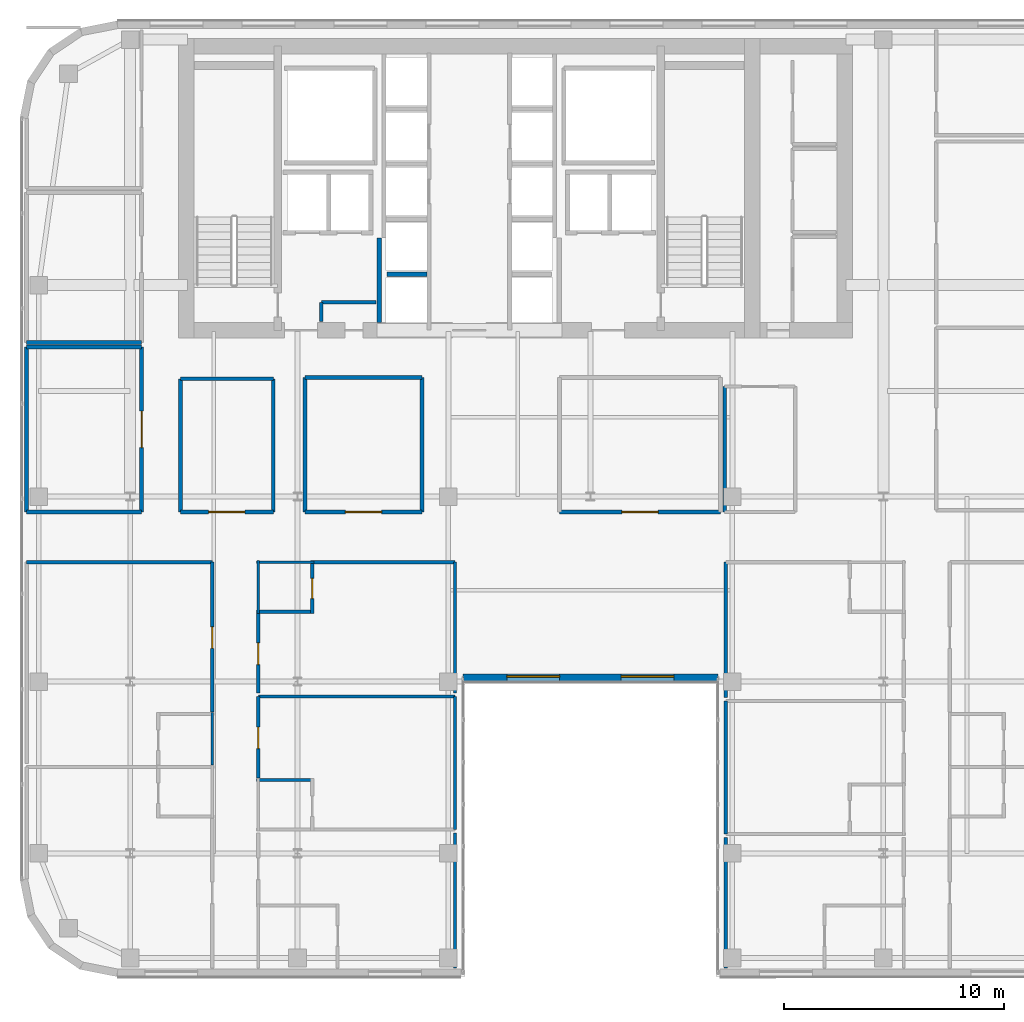
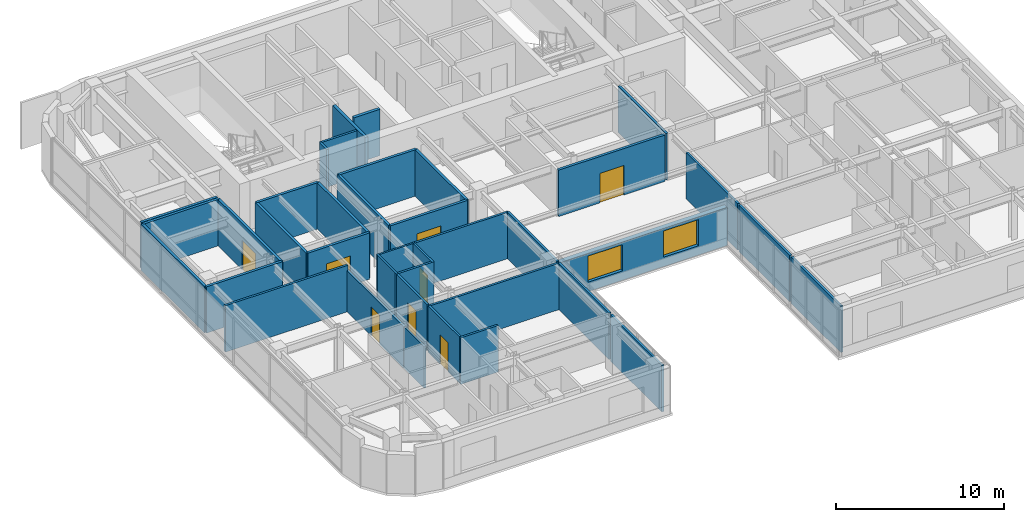
# One storey, part 18 of 28: 38 walls, 8 doors, 2 windows, 10 openings.
"""IFC4 building model written with IfcOpenShell, lengths in metres."""

import ifcopenshell
import ifcopenshell.guid

model = None  # the IFC model being written
_history = None  # IfcOwnerHistory: only IFC2X3 demands one
_inside = {}  # id of a spatial element -> (the spatial element, [elements in it])
_under = {}  # id of a project, library or spatial element -> (it, [spatial elements below it])
_declared = {}  # id of a project -> (the project, [libraries it declares])
_typed = {}  # id of a type object -> (the type object, [elements of that type])
_made_of = {}  # id of a material, layer set ... -> (it, [elements and type objects made of it])


def new_model(schema):
    """Start an empty IFC model of exactly this schema.

    Asked for "IFC4X3", IfcOpenShell would pick the latest addendum, in which some entities
    have other attributes; the version numbers below select the first issue.
    IFC2X3 requires an IfcOwnerHistory on every rooted entity: one is made here for all.
    """
    global model, _history
    if schema == "IFC4X3":
        model = ifcopenshell.file(schema_version=(4, 3, 0, 0))
    else:
        model = ifcopenshell.file(schema=schema)
    _inside.clear()
    _under.clear()
    _declared.clear()
    _typed.clear()
    _made_of.clear()
    _history = None
    if model.schema == "IFC2X3":
        org = make("IfcOrganization", Name="unknown")
        user = make(
            "IfcPersonAndOrganization",
            ThePerson=make("IfcPerson", FamilyName="unknown"),
            TheOrganization=org,
        )
        app = make(
            "IfcApplication",
            ApplicationDeveloper=org,
            Version="unknown",
            ApplicationFullName="unknown",
            ApplicationIdentifier="unknown",
        )
        _history = make(
            "IfcOwnerHistory",
            OwningUser=user,
            OwningApplication=app,
            ChangeAction="ADDED",
            CreationDate=0,
        )
    return model


def make(cls, **values):
    """One entity of the class cls with the attributes given. An attribute that is None is left unset."""
    return model.create_entity(
        cls, **{name: value for name, value in values.items() if value is not None}
    )


def rooted(cls, **values):
    """An entity with a GlobalId (a new one), such as an element, a storey or a relation."""
    return make(cls, GlobalId=ifcopenshell.guid.new(), OwnerHistory=_history, **values)


def si_unit(unit_type, name, prefix=None):
    """IfcSIUnit, for example si_unit("LENGTHUNIT", "METRE", prefix="MILLI")."""
    return make("IfcSIUnit", UnitType=unit_type, Prefix=prefix, Name=name)


def assignment(units):
    """IfcUnitAssignment: the units of a project."""
    return None if units is None else make("IfcUnitAssignment", Units=units)


def point(xyz):
    """IfcCartesianPoint."""
    return None if xyz is None else make("IfcCartesianPoint", Coordinates=xyz)


def direction(xyz):
    """IfcDirection."""
    return None if xyz is None else make("IfcDirection", DirectionRatios=xyz)


def frame(location, z_axis=None, x_axis=None):
    """IfcAxis2Placement3D, a coordinate frame: its origin and axes. An axis left out is left unset."""
    return make(
        "IfcAxis2Placement3D",
        Location=point(location),
        Axis=direction(z_axis),
        RefDirection=direction(x_axis),
    )


def frame_2d(location, x_axis=None):
    """IfcAxis2Placement2D, a coordinate frame in the plane: its origin and x axis."""
    return make(
        "IfcAxis2Placement2D", Location=point(location), RefDirection=direction(x_axis)
    )


def origin():
    """The frame at (0, 0, 0) with its axes left unset."""
    return frame((0.0, 0.0, 0.0))


def place(relative_to, where):
    """IfcLocalPlacement: puts the frame where relative to a parent placement (None: the world)."""
    return make(
        "IfcLocalPlacement", PlacementRelTo=relative_to, RelativePlacement=where
    )


def context(
    kind, dimensions, precision=None, world=None, true_north=None, identifier=None
):
    """IfcGeometricRepresentationContext, for example the 3D "Model" context."""
    return make(
        "IfcGeometricRepresentationContext",
        ContextIdentifier=identifier,
        ContextType=kind,
        CoordinateSpaceDimension=dimensions,
        Precision=precision,
        WorldCoordinateSystem=world,
        TrueNorth=true_north,
    )


def subcontext(parent, identifier, kind, view, scale=None):
    """IfcGeometricRepresentationSubContext, for example "Body" below "Model"."""
    return make(
        "IfcGeometricRepresentationSubContext",
        ContextIdentifier=identifier,
        ContextType=kind,
        ParentContext=parent,
        TargetScale=scale,
        TargetView=view,
    )


def project(units=None, contexts=None):
    """IfcProject with its units and contexts."""
    return rooted(
        "IfcProject",
        Name="project",
        RepresentationContexts=contexts,
        UnitsInContext=assignment(units),
    )


def spatial(cls, under=None, at=None, **own):
    """A site, building, storey or space (cls), placed at a placement, below another one or the project."""
    s = rooted(cls, ObjectPlacement=at, **own)
    if under is not None:
        _under.setdefault(under.id(), (under, []))[1].append(s)
    return s


def profile(cls, at=None, kind="AREA", **sizes):
    """A parametric profile (cls). Its sizes go by their IFC names, for example OverallWidth=200.0."""
    return make(cls, ProfileType=kind, Position=at, **sizes)


def rectangle(**sizes):
    """IfcRectangleProfileDef."""
    return profile("IfcRectangleProfileDef", **sizes)


def extrude(swept, where, along, depth):
    """IfcExtrudedAreaSolid: the profile swept, set in the frame where, extruded along a direction by depth."""
    return make(
        "IfcExtrudedAreaSolid",
        SweptArea=swept,
        Position=where,
        ExtrudedDirection=direction(along),
        Depth=depth,
    )


def shape(context_of_items, identifier, shape_type, items):
    """IfcShapeRepresentation: the items that make up one representation, for example the "Body"."""
    return make(
        "IfcShapeRepresentation",
        ContextOfItems=context_of_items,
        RepresentationIdentifier=identifier,
        RepresentationType=shape_type,
        Items=items,
    )


def source(mapping_origin, context_of_items, identifier, shape_type, items):
    """IfcRepresentationMap: a shape defined once, which mapped items show again and again."""
    return make(
        "IfcRepresentationMap",
        MappingOrigin=mapping_origin,
        MappedRepresentation=shape(context_of_items, identifier, shape_type, items),
    )


def transform(
    local_origin,
    x_axis=None,
    y_axis=None,
    z_axis=None,
    scale=None,
    scale2=None,
    scale3=None,
    uniform=True,
):
    """IfcCartesianTransformationOperator3D, or its non-uniform kind. x_axis, y_axis, z_axis: its Axis1, 2, 3."""
    if uniform:
        return make(
            "IfcCartesianTransformationOperator3D",
            Axis1=direction(x_axis),
            Axis2=direction(y_axis),
            LocalOrigin=point(local_origin),
            Scale=scale,
            Axis3=direction(z_axis),
        )
    return make(
        "IfcCartesianTransformationOperator3DnonUniform",
        Axis1=direction(x_axis),
        Axis2=direction(y_axis),
        LocalOrigin=point(local_origin),
        Scale=scale,
        Axis3=direction(z_axis),
        Scale2=scale2,
        Scale3=scale3,
    )


def mapped(mapping_source, mapping_target):
    """IfcMappedItem: shows the shape of a source again, moved by a transform."""
    return make(
        "IfcMappedItem", MappingSource=mapping_source, MappingTarget=mapping_target
    )


def material(Name=None, Category=None):
    """IfcMaterial."""
    return make("IfcMaterial", Name=Name, Category=Category)


def layer(
    of_material, thickness, ventilated=None, Name=None, Category=None, Priority=None
):
    """IfcMaterialLayer: one layer of a wall or slab, of a material (None: an air gap)."""
    return make(
        "IfcMaterialLayer",
        Material=of_material,
        LayerThickness=thickness,
        IsVentilated=ventilated,
        Name=Name,
        Category=Category,
        Priority=Priority,
    )


def layer_set(layers, Name=None):
    """IfcMaterialLayerSet."""
    return make("IfcMaterialLayerSet", MaterialLayers=layers, LayerSetName=Name)


def made_of(thing, what):
    """Note that an element or type object is made of a material, layer set ...; save() writes the relation."""
    if what is not None:
        _made_of.setdefault(what.id(), (what, []))[1].append(thing)
    return thing


def type_object(cls, material=None, **own):
    """A type object (cls), such as IfcWallType, which elements share."""
    return made_of(rooted(cls, **own), material)


def type_shapes(of_type, sources):
    """Give a type object the sources (RepresentationMaps) that its elements show as mapped items."""
    of_type.RepresentationMaps = sources


def element(
    cls,
    number,
    at=None,
    inside=None,
    cuts=None,
    type_object=None,
    material=None,
    context=None,
    identifier="Body",
    shape_type=None,
    held_by="IfcProductDefinitionShape",
    body=None,
    shapes=None,
    **own,
):
    """One element of the class cls, such as IfcWall. Its Tag is "e" and its number.

    at: its placement. inside: the storey or other place that contains it. cuts: it is an
    opening in that element (IfcRelVoidsElement). A single representation is given by context,
    identifier, shape_type and body (its items); several are given by shapes. held_by: the class
    of the entity that holds the representations. save() writes the other relations.
    """
    e = rooted(cls, Tag="e%d" % number, ObjectPlacement=at, **own)
    if body is not None:
        shapes = [shape(context, identifier, shape_type, body)]
    if shapes is not None:
        e.Representation = make(held_by, Representations=shapes)
    if inside is not None:
        _inside.setdefault(inside.id(), (inside, []))[1].append(e)
    if cuts is not None:
        rooted(
            "IfcRelVoidsElement", RelatingBuildingElement=cuts, RelatedOpeningElement=e
        )
    if type_object is not None:
        _typed.setdefault(type_object.id(), (type_object, []))[1].append(e)
    return made_of(e, material)


def fill(opening, filler):
    """IfcRelFillsElement: the door or window that sits in an opening."""
    return rooted(
        "IfcRelFillsElement",
        RelatingOpeningElement=opening,
        RelatedBuildingElement=filler,
    )


def aggregate(whole, parts):
    """IfcRelAggregates: a whole, such as a stair, and the parts it consists of."""
    return rooted("IfcRelAggregates", RelatingObject=whole, RelatedObjects=parts)


def save(model, path):
    """Write the relations noted so far, then the file.

    IfcRelAggregates (storeys below a building ...), IfcRelContainedInSpatialStructure (elements
    in a storey), IfcRelDefinesByType, IfcRelAssociatesMaterial and IfcRelDeclares: one each for
    every whole, place, type object, material and project.
    """
    for whole, parts in _under.values():
        aggregate(whole, parts)
    for where, things in _inside.values():
        rooted(
            "IfcRelContainedInSpatialStructure",
            RelatedElements=things,
            RelatingStructure=where,
        )
    for kind, things in _typed.values():
        rooted("IfcRelDefinesByType", RelatedObjects=things, RelatingType=kind)
    for what, things in _made_of.values():
        rooted("IfcRelAssociatesMaterial", RelatedObjects=things, RelatingMaterial=what)
    for by, libraries in _declared.values():
        rooted("IfcRelDeclares", RelatingContext=by, RelatedDefinitions=libraries)
    model.write(path)


model = new_model("IFC4")

# Units and contexts
model_context = context("Model", 3, precision=1e-05, world=origin(), true_north=direction((0.0, 1.0)))
body_context = subcontext(model_context, "Body", "Model", "MODEL_VIEW")
ifc_project = project(units=[si_unit("LENGTHUNIT", "METRE"), si_unit("AREAUNIT", "SQUARE_METRE"), si_unit("VOLUMEUNIT", "CUBIC_METRE"), si_unit("PLANEANGLEUNIT", "RADIAN"), si_unit("MASSUNIT", "GRAM", prefix="KILO")], contexts=[model_context])

# Site, building, storey
site_placement = place(None, origin())
site = spatial("IfcSite", under=ifc_project, at=site_placement, CompositionType="ELEMENT")
building_placement = place(site_placement, origin())
building = spatial("IfcBuilding", under=site, at=building_placement, Name="Tolvann Quenvar Hotel", CompositionType="ELEMENT")
storey_placement = place(building_placement, frame((0.0, 0.0, 198.199951171875)))
storey = spatial("IfcBuildingStorey", under=building, at=storey_placement, Name="L52", CompositionType="ELEMENT", Elevation=198.199951171875)

# Wall, openings, windows
ifc_material_1 = material(Name="Kiln-fired red and buff architectural clay brickwork and terracotta masonry", Category="masonry")
ifc_layer_1 = layer(ifc_material_1, 0.35009765625)
ifc_layer_set_1 = layer_set([ifc_layer_1], Name="Kiln-fired red and buff architectural clay brickwork and terracotta masonry")
wall_type_1 = type_object("IfcWallType", Name="WALL_EXT_BRICK_350", PredefinedType="SOLIDWALL", material=ifc_layer_set_1)
wall_1_placement = place(storey_placement, frame((22.7099609375, 16.175048828125, 0.0), z_axis=(0.0, 0.0, 1.0), x_axis=(1.0, 0.0, 0.0)))
wall_1 = element("IfcWall", 1, at=wall_1_placement, inside=storey, type_object=wall_type_1, Name="Exterior Chicago Brick Wall L52-E06", PredefinedType="SOLIDWALL", context=body_context, shape_type="SweptSolid", body=[
    extrude(rectangle(XDim=11.580078125, YDim=0.35009765625, at=frame_2d((5.7900390625, 0.0))), origin(), (0.0, 0.0, 1.0), 2.758056640625),
])
opening_1_placement = place(wall_1_placement, frame((1.9951171875, 0.0, 0.679931640625)))
opening_1 = element("IfcOpeningElement", 2, at=opening_1_placement, cuts=wall_1, Name="Opening W-01", PredefinedType="OPENING", context=body_context, shape_type="SweptSolid", body=[
    extrude(rectangle(XDim=2.39990234375, YDim=1.89990234375, at=frame_2d((1.199951171875, 0.949951171875))), frame((0.0, 0.18505859375, 0.0), z_axis=(0.0, -1.0, 0.0), x_axis=(1.0, 0.0, 0.0)), (0.0, 0.0, 1.0), 0.3701171875),
])
opening_2_placement = place(wall_1_placement, frame((7.18505859375, 0.0, 0.679931640625)))
opening_2 = element("IfcOpeningElement", 3, at=opening_2_placement, cuts=wall_1, Name="Opening W-01", PredefinedType="OPENING", context=body_context, shape_type="SweptSolid", body=[
    extrude(rectangle(XDim=2.39990234375, YDim=1.89990234375, at=frame_2d((1.199951171875, 0.949951171875))), frame((0.0, 0.18505859375, 0.0), z_axis=(0.0, -1.0, 0.0), x_axis=(1.0, 0.0, 0.0)), (0.0, 0.0, 1.0), 0.3701171875),
])
ifc_material_2 = material(Name="Thermally broken bronze-anodised aluminium frame with double low-E glazing", Category="aluminium")
window_type = type_object("IfcWindowType", Name="WIN_CHI_2400x2050", PartitioningType="TRIPLE_PANEL_HORIZONTAL", PredefinedType="WINDOW", material=ifc_material_2)
shared_shape_1 = source(origin(), body_context, "Body", "SweptSolid", [
    extrude(rectangle(XDim=2.39990234375, YDim=1.89990234375, at=frame_2d((1.199951171875, 0.949951171875))), frame((0.0, 0.090087890625, 0.0), z_axis=(0.0, -1.0, 0.0), x_axis=(1.0, 0.0, 0.0)), (0.0, 0.0, 1.0), 0.06005859375),
])
type_shapes(window_type, [shared_shape_1])
window_1_placement = place(opening_1_placement, origin())
window_1 = element("IfcWindow", 4, at=window_1_placement, inside=storey, type_object=window_type, Name="Chicago Window W-01 (EW-L52-E06-W01)", OverallHeight=1.89990234375, OverallWidth=2.39990234375, PartitioningType="TRIPLE_PANEL_HORIZONTAL", PredefinedType="WINDOW", context=body_context, shape_type="MappedRepresentation", body=[
    mapped(shared_shape_1, transform((0.0, 0.0, 0.0), x_axis=(1.0, 0.0, 0.0), y_axis=(0.0, 1.0, 0.0), z_axis=(0.0, 0.0, 1.0), scale=1.0)),
])
fill(opening_1, window_1)
window_2_placement = place(opening_2_placement, origin())
window_2 = element("IfcWindow", 5, at=window_2_placement, inside=storey, type_object=window_type, Name="Chicago Window W-01 (EW-L52-E06-W02)", OverallHeight=1.89990234375, OverallWidth=2.39990234375, PartitioningType="TRIPLE_PANEL_HORIZONTAL", PredefinedType="WINDOW", context=body_context, shape_type="MappedRepresentation", body=[
    mapped(shared_shape_1, transform((0.0, 0.0, 0.0), x_axis=(1.0, 0.0, 0.0), y_axis=(0.0, 1.0, 0.0), z_axis=(0.0, 0.0, 1.0), scale=1.0)),
])
fill(opening_2, window_2)

# Walls
ifc_material_3 = material(Name="Acoustic twin-stud fire-rated gypsum plasterboard partition")
ifc_layer_2 = layer(ifc_material_3, 0.179931640625)
ifc_layer_set_2 = layer_set([ifc_layer_2], Name="Acoustic twin-stud fire-rated gypsum plasterboard partition")
wall_type_2 = type_object("IfcWallType", Name="WALL_PART_ACOUSTIC_180", PredefinedType="PARTITIONING", material=ifc_layer_set_2)
for number, where, z_axis, x_axis, name in (
    (6, (2.89990234375, 23.699951171875, 0.0), (0.0, 0.0, 1.0), (1.0, 0.0, 0.0), "Interior Partition PT-SPC-L52-SAL-S"),
    (7, (2.89990234375, 31.199951171875, 0.0), (0.0, 0.0, 1.0), (1.0, 0.0, 0.0), "Interior Partition PT-SPC-L52-SAL-N"),
):
    element("IfcWall", number, at=place(storey_placement, frame(where, z_axis=z_axis, x_axis=x_axis)), inside=storey, type_object=wall_type_2, Name=name, PredefinedType="PARTITIONING", context=body_context, shape_type="SweptSolid", body=[
        extrude(rectangle(XDim=5.22021484375, YDim=0.179931640625, at=frame_2d((2.610107421875, 0.0))), origin(), (0.0, 0.0, 1.0), 3.3701171875),
    ])
wall_2_placement = place(storey_placement, frame((2.89990234375, 23.699951171875, 0.0), z_axis=(0.0, 0.0, 1.0), x_axis=(0.0, 1.0, 0.0)))
element("IfcWall", 8, at=wall_2_placement, inside=storey, type_object=wall_type_2, Name="Interior Partition PT-SPC-L52-SAL-W", PredefinedType="PARTITIONING", context=body_context, shape_type="SweptSolid", body=[
    extrude(rectangle(XDim=7.5, YDim=0.179931640625, at=frame_2d((3.75, 0.0))), origin(), (0.0, 0.0, 1.0), 3.3701171875),
])

# Wall, opening, door
wall_3_placement = place(storey_placement, frame((8.1201171875, 23.699951171875, 0.0), z_axis=(0.0, 0.0, 1.0), x_axis=(0.0, 1.0, 0.0)))
wall_3 = element("IfcWall", 9, at=wall_3_placement, inside=storey, type_object=wall_type_2, Name="Interior Partition PT-SPC-L52-SAL-E", PredefinedType="PARTITIONING", context=body_context, shape_type="SweptSolid", body=[
    extrude(rectangle(XDim=7.5, YDim=0.179931640625, at=frame_2d((3.75, 0.0))), origin(), (0.0, 0.0, 1.0), 3.3701171875),
])
opening_3_placement = place(wall_3_placement, frame((2.925048828125, 0.0, 0.0)))
opening_3 = element("IfcOpeningElement", 10, at=opening_3_placement, cuts=wall_3, Name="Opening AD-01", PredefinedType="OPENING", context=body_context, shape_type="SweptSolid", body=[
    extrude(rectangle(XDim=1.64990234375, YDim=2.14990234375, at=frame_2d((0.824951171875, 1.074951171875))), frame((0.0, 0.10009765625, 0.0), z_axis=(0.0, -1.0, 0.0), x_axis=(1.0, 0.0, 0.0)), (0.0, 0.0, 1.0), 0.199951171875),
])
ifc_material_4 = material(Name="Solid-core American oak acoustic fire door leaf in steel frame", Category="steel")
door_type_1 = type_object("IfcDoorType", Name="DOOR_SALON_1650", OperationType="NOTDEFINED", PredefinedType="DOOR", material=ifc_material_4)
shared_shape_2 = source(origin(), body_context, "Body", "SweptSolid", [
    extrude(rectangle(XDim=1.64990234375, YDim=2.14990234375, at=frame_2d((0.824951171875, 1.074951171875))), frame((0.0, 0.02490234375, 0.0), z_axis=(0.0, -1.0, 0.0), x_axis=(1.0, 0.0, 0.0)), (0.0, 0.0, 1.0), 0.050048828125),
])
type_shapes(door_type_1, [shared_shape_2])
door_1_placement = place(opening_3_placement, origin())
door_1 = element("IfcDoor", 11, at=door_1_placement, inside=storey, type_object=door_type_1, Name="Interior Door DOOR-SPC-L52-SAL", OperationType="DOUBLE_DOOR_SINGLE_SWING", OverallHeight=2.14990234375, OverallWidth=1.64990234375, PredefinedType="DOOR", context=body_context, shape_type="MappedRepresentation", body=[
    mapped(shared_shape_2, transform((0.0, 0.0, 0.0), x_axis=(1.0, 0.0, 0.0), y_axis=(0.0, 1.0, 0.0), z_axis=(0.0, 0.0, 1.0), scale=1.0)),
])
fill(opening_3, door_1)

# Wall
wall_4_placement = place(storey_placement, frame((2.89990234375, 31.39990234375, 0.0), z_axis=(0.0, 0.0, 1.0), x_axis=(1.0, 0.0, 0.0)))
element("IfcWall", 12, at=wall_4_placement, inside=storey, type_object=wall_type_2, Name="Interior Partition PT-SPC-L52-MTG-S", PredefinedType="PARTITIONING", context=body_context, shape_type="SweptSolid", body=[
    extrude(rectangle(XDim=5.22021484375, YDim=0.179931640625, at=frame_2d((2.610107421875, 0.0))), origin(), (0.0, 0.0, 1.0), 3.3701171875),
])

# Wall, opening, door
wall_5_placement = place(storey_placement, frame((9.8798828125, 23.699951171875, 0.0), z_axis=(0.0, 0.0, 1.0), x_axis=(1.0, 0.0, 0.0)))
wall_5 = element("IfcWall", 13, at=wall_5_placement, inside=storey, type_object=wall_type_2, Name="Interior Partition PT-SPC-L52-MSP-W-S", PredefinedType="PARTITIONING", context=body_context, shape_type="SweptSolid", body=[
    extrude(rectangle(XDim=4.22021484375, YDim=0.179931640625, at=frame_2d((2.110107421875, 0.0))), origin(), (0.0, 0.0, 1.0), 3.3701171875),
])
opening_4_placement = place(wall_5_placement, frame((1.284912109375, 0.0, 0.0)))
opening_4 = element("IfcOpeningElement", 14, at=opening_4_placement, cuts=wall_5, Name="Opening AD-01", PredefinedType="OPENING", context=body_context, shape_type="SweptSolid", body=[
    extrude(rectangle(XDim=1.64990234375, YDim=2.14990234375, at=frame_2d((0.824951171875, 1.074951171875))), frame((0.0, 0.10009765625, 0.0), z_axis=(0.0, -1.0, 0.0), x_axis=(1.0, 0.0, 0.0)), (0.0, 0.0, 1.0), 0.199951171875),
])
door_2_placement = place(opening_4_placement, origin())
door_2 = element("IfcDoor", 15, at=door_2_placement, inside=storey, type_object=door_type_1, Name="Interior Door DOOR-SPC-L52-MSP-W", OperationType="DOUBLE_DOOR_SINGLE_SWING", OverallHeight=2.14990234375, OverallWidth=1.64990234375, PredefinedType="DOOR", context=body_context, shape_type="MappedRepresentation", body=[
    mapped(shared_shape_2, transform((0.0, 0.0, 0.0), x_axis=(1.0, 0.0, 0.0), y_axis=(0.0, 1.0, 0.0), z_axis=(0.0, 0.0, 1.0), scale=1.0)),
])
fill(opening_4, door_2)

# Walls
wall_6_placement = place(storey_placement, frame((9.8798828125, 29.75, 0.0), z_axis=(0.0, 0.0, 1.0), x_axis=(1.0, 0.0, 0.0)))
element("IfcWall", 16, at=wall_6_placement, inside=storey, type_object=wall_type_2, Name="Interior Partition PT-SPC-L52-MSP-W-N", PredefinedType="PARTITIONING", context=body_context, shape_type="SweptSolid", body=[
    extrude(rectangle(XDim=4.22021484375, YDim=0.179931640625, at=frame_2d((2.110107421875, 0.0))), origin(), (0.0, 0.0, 1.0), 3.3701171875),
])
for number, where, z_axis, x_axis, name in (
    (17, (9.8798828125, 23.699951171875, 0.0), (0.0, 0.0, 1.0), (0.0, 1.0, 0.0), "Interior Partition PT-SPC-L52-MSP-W-W"),
    (18, (14.10009765625, 23.699951171875, 0.0), (0.0, 0.0, 1.0), (0.0, 1.0, 0.0), "Interior Partition PT-SPC-L52-MSP-W-E"),
):
    element("IfcWall", number, at=place(storey_placement, frame(where, z_axis=z_axis, x_axis=x_axis)), inside=storey, type_object=wall_type_2, Name=name, PredefinedType="PARTITIONING", context=body_context, shape_type="SweptSolid", body=[
        extrude(rectangle(XDim=6.050048828125, YDim=0.179931640625, at=frame_2d((3.02490234375, 0.0))), origin(), (0.0, 0.0, 1.0), 3.3701171875),
    ])

# Wall, opening, door
wall_7_placement = place(storey_placement, frame((27.10009765625, 23.699951171875, 0.0), z_axis=(0.0, 0.0, 1.0), x_axis=(1.0, 0.0, 0.0)))
wall_7 = element("IfcWall", 19, at=wall_7_placement, inside=storey, type_object=wall_type_2, Name="Interior Partition PT-SPC-L52-MSP-C-S", PredefinedType="PARTITIONING", context=body_context, shape_type="SweptSolid", body=[
    extrude(rectangle(XDim=7.2998046875, YDim=0.179931640625, at=frame_2d((3.64990234375, 0.0))), origin(), (0.0, 0.0, 1.0), 3.3701171875),
])
opening_5_placement = place(wall_7_placement, frame((2.824951171875, 0.0, 0.0)))
opening_5 = element("IfcOpeningElement", 20, at=opening_5_placement, cuts=wall_7, Name="Opening AD-01", PredefinedType="OPENING", context=body_context, shape_type="SweptSolid", body=[
    extrude(rectangle(XDim=1.64990234375, YDim=2.14990234375, at=frame_2d((0.824951171875, 1.074951171875))), frame((0.0, 0.10009765625, 0.0), z_axis=(0.0, -1.0, 0.0), x_axis=(1.0, 0.0, 0.0)), (0.0, 0.0, 1.0), 0.199951171875),
])
door_3_placement = place(opening_5_placement, origin())
door_3 = element("IfcDoor", 21, at=door_3_placement, inside=storey, type_object=door_type_1, Name="Interior Door DOOR-SPC-L52-MSP-C", OperationType="DOUBLE_DOOR_SINGLE_SWING", OverallHeight=2.14990234375, OverallWidth=1.64990234375, PredefinedType="DOOR", context=body_context, shape_type="MappedRepresentation", body=[
    mapped(shared_shape_2, transform((0.0, 0.0, 0.0), x_axis=(1.0, 0.0, 0.0), y_axis=(0.0, 1.0, 0.0), z_axis=(0.0, 0.0, 1.0), scale=1.0)),
])
fill(opening_5, door_3)

wall_8_placement = place(storey_placement, frame((15.550048828125, 23.699951171875, 0.0), z_axis=(0.0, 0.0, 1.0), x_axis=(1.0, 0.0, 0.0)))
wall_8 = element("IfcWall", 22, at=wall_8_placement, inside=storey, type_object=wall_type_2, Name="Interior Partition PT-SPC-L52-MSP-N-S", PredefinedType="PARTITIONING", context=body_context, shape_type="SweptSolid", body=[
    extrude(rectangle(XDim=5.300048828125, YDim=0.179931640625, at=frame_2d((2.64990234375, 0.0))), origin(), (0.0, 0.0, 1.0), 3.3701171875),
])
opening_6_placement = place(wall_8_placement, frame((1.824951171875, 0.0, 0.0)))
opening_6 = element("IfcOpeningElement", 23, at=opening_6_placement, cuts=wall_8, Name="Opening AD-01", PredefinedType="OPENING", context=body_context, shape_type="SweptSolid", body=[
    extrude(rectangle(XDim=1.64990234375, YDim=2.14990234375, at=frame_2d((0.824951171875, 1.074951171875))), frame((0.0, 0.10009765625, 0.0), z_axis=(0.0, -1.0, 0.0), x_axis=(1.0, 0.0, 0.0)), (0.0, 0.0, 1.0), 0.199951171875),
])
door_4_placement = place(opening_6_placement, origin())
door_4 = element("IfcDoor", 24, at=door_4_placement, inside=storey, type_object=door_type_1, Name="Interior Door DOOR-SPC-L52-MSP-N", OperationType="DOUBLE_DOOR_SINGLE_SWING", OverallHeight=2.14990234375, OverallWidth=1.64990234375, PredefinedType="DOOR", context=body_context, shape_type="MappedRepresentation", body=[
    mapped(shared_shape_2, transform((0.0, 0.0, 0.0), x_axis=(1.0, 0.0, 0.0), y_axis=(0.0, 1.0, 0.0), z_axis=(0.0, 0.0, 1.0), scale=1.0)),
])
fill(opening_6, door_4)

# Walls
wall_9_placement = place(storey_placement, frame((15.550048828125, 29.800048828125, 0.0), z_axis=(0.0, 0.0, 1.0), x_axis=(1.0, 0.0, 0.0)))
element("IfcWall", 25, at=wall_9_placement, inside=storey, type_object=wall_type_2, Name="Interior Partition PT-SPC-L52-MSP-N-N", PredefinedType="PARTITIONING", context=body_context, shape_type="SweptSolid", body=[
    extrude(rectangle(XDim=5.300048828125, YDim=0.179931640625, at=frame_2d((2.64990234375, 0.0))), origin(), (0.0, 0.0, 1.0), 3.3701171875),
])
for number, where, z_axis, x_axis, name in (
    (26, (15.550048828125, 23.699951171875, 0.0), (0.0, 0.0, 1.0), (0.0, 1.0, 0.0), "Interior Partition PT-SPC-L52-MSP-N-W"),
    (27, (20.85009765625, 23.699951171875, 0.0), (0.0, 0.0, 1.0), (0.0, 1.0, 0.0), "Interior Partition PT-SPC-L52-MSP-N-E"),
):
    element("IfcWall", number, at=place(storey_placement, frame(where, z_axis=z_axis, x_axis=x_axis)), inside=storey, type_object=wall_type_2, Name=name, PredefinedType="PARTITIONING", context=body_context, shape_type="SweptSolid", body=[
        extrude(rectangle(XDim=6.10009765625, YDim=0.179931640625, at=frame_2d((3.050048828125, 0.0))), origin(), (0.0, 0.0, 1.0), 3.3701171875),
    ])
ifc_material_5 = material(Name="Moisture-resistant acoustic plumbing wall assembly")
ifc_layer_3 = layer(ifc_material_5, 0.1201171875)
ifc_layer_set_3 = layer_set([ifc_layer_3], Name="Moisture-resistant acoustic plumbing wall assembly")
wall_type_3 = type_object("IfcWallType", Name="WALL_PART_BATH_120", PredefinedType="PLUMBINGWALL", material=ifc_layer_set_3)
wall_10_placement = place(storey_placement, frame((11.330078125, 12.2099609375, 0.0), z_axis=(0.0, 0.0, 1.0), x_axis=(0.0, 1.0, 0.0)))
element("IfcWall", 28, at=wall_10_placement, inside=storey, type_object=wall_type_3, Name="Non-Rated Plumbing Partition PT-SPC-L52-ENS-WO02-E", PredefinedType="PLUMBINGWALL", context=body_context, shape_type="SweptSolid", body=[
    extrude(rectangle(XDim=2.39013671875, YDim=0.1201171875, at=frame_2d((1.195068359375, 0.0))), origin(), (0.0, 0.0, 1.0), 3.0009765625),
])
wall_11_placement = place(storey_placement, frame((13.35009765625, 21.419921875, 0.0), z_axis=(0.0, 0.0, 1.0), x_axis=(1.0, 0.0, 0.0)))
element("IfcWall", 29, at=wall_11_placement, inside=storey, type_object=wall_type_3, Name="Non-Rated Plumbing Partition PT-SPC-L52-ENS-WI03-N", PredefinedType="PLUMBINGWALL", context=body_context, shape_type="SweptSolid", body=[
    extrude(rectangle(XDim=2.58984375, YDim=0.1201171875, at=frame_2d((1.294921875, 0.0))), origin(), (0.0, 0.0, 1.0), 3.3701171875),
])
wall_12_placement = place(storey_placement, frame((13.419921875, 19.10009765625, 0.0), z_axis=(0.0, 0.0, 1.0), x_axis=(0.0, 1.0, 0.0)))
element("IfcWall", 30, at=wall_12_placement, inside=storey, type_object=wall_type_3, Name="Non-Rated Plumbing Partition PT-SPC-L52-ENS-WI03-W", PredefinedType="PLUMBINGWALL", context=body_context, shape_type="SweptSolid", body=[
    extrude(rectangle(XDim=2.389892578125, YDim=0.1201171875, at=frame_2d((1.19482421875, 0.0))), origin(), (0.0, 0.0, 1.0), 3.3701171875),
])
ifc_layer_4 = layer(ifc_material_3, 0.14990234375)
ifc_layer_set_4 = layer_set([ifc_layer_4], Name="Acoustic twin-stud fire-rated gypsum plasterboard partition")
wall_type_4 = type_object("IfcWallType", Name="WALL_PART_SUITE_150", PredefinedType="PARTITIONING", material=ifc_layer_set_4)
wall_13_placement = place(storey_placement, frame((13.35009765625, 11.530029296875, 0.0), z_axis=(0.0, 0.0, 1.0), x_axis=(1.0, 0.0, 0.0)))
element("IfcWall", 31, at=wall_13_placement, inside=storey, type_object=wall_type_4, Name="Interior Partition PT-SPC-L52-ENS-WI02-N", PredefinedType="PARTITIONING", context=body_context, shape_type="SweptSolid", body=[
    extrude(rectangle(XDim=2.58984375, YDim=0.14990234375, at=frame_2d((1.294921875, 0.0))), origin(), (0.0, 0.0, 1.0), 3.3701171875),
])

# Wall, opening, door
wall_14_placement = place(storey_placement, frame((15.8701171875, 19.10009765625, 0.0), z_axis=(0.0, 0.0, 1.0), x_axis=(0.0, 1.0, 0.0)))
wall_14 = element("IfcWall", 32, at=wall_14_placement, inside=storey, type_object=wall_type_4, Name="Interior Partition PT-SPC-L52-ENS-WI03-ENT", PredefinedType="PARTITIONING", context=body_context, shape_type="SweptSolid", body=[
    extrude(rectangle(XDim=2.389892578125, YDim=0.14990234375, at=frame_2d((1.19482421875, 0.0))), origin(), (0.0, 0.0, 1.0), 3.3701171875),
])
opening_7_placement = place(wall_14_placement, frame((0.6650390625, 0.0, 0.0)))
opening_7 = element("IfcOpeningElement", 33, at=opening_7_placement, cuts=wall_14, Name="Opening WD-01", PredefinedType="OPENING", context=body_context, shape_type="SweptSolid", body=[
    extrude(rectangle(XDim=0.919921875, YDim=2.010009765625, at=frame_2d((0.4599609375, 1.0048828125))), frame((0.0, 0.0849609375, 0.0), z_axis=(0.0, -1.0, 0.0), x_axis=(1.0, 0.0, 0.0)), (0.0, 0.0, 1.0), 0.169921875),
])
door_type_2 = type_object("IfcDoorType", Name="DOOR_WC_920", OperationType="NOTDEFINED", PredefinedType="DOOR", material=ifc_material_4)
shared_shape_3 = source(origin(), body_context, "Body", "SweptSolid", [
    extrude(rectangle(XDim=0.919921875, YDim=2.010009765625, at=frame_2d((0.4599609375, 1.0048828125))), frame((0.0, 0.02490234375, 0.0), z_axis=(0.0, -1.0, 0.0), x_axis=(1.0, 0.0, 0.0)), (0.0, 0.0, 1.0), 0.050048828125),
])
type_shapes(door_type_2, [shared_shape_3])
door_5_placement = place(opening_7_placement, origin())
door_5 = element("IfcDoor", 34, at=door_5_placement, inside=storey, type_object=door_type_2, Name="Interior Door DOOR-SPC-L52-ENS-WI03", OperationType="SINGLE_SWING_LEFT", OverallHeight=2.010009765625, OverallWidth=0.919921875, PredefinedType="DOOR", context=body_context, shape_type="MappedRepresentation", body=[
    mapped(shared_shape_3, transform((0.0, 0.0, 0.0), x_axis=(1.0, 0.0, 0.0), y_axis=(0.0, 1.0, 0.0), z_axis=(0.0, 0.0, 1.0), scale=1.0)),
])
fill(opening_7, door_5)

# Walls
wall_15_placement = place(storey_placement, frame((13.35009765625, 19.169921875, 0.0), z_axis=(0.0, 0.0, 1.0), x_axis=(1.0, 0.0, 0.0)))
element("IfcWall", 35, at=wall_15_placement, inside=storey, type_object=wall_type_4, Name="Interior Partition PT-SPC-L52-ENS-WI03-S", PredefinedType="PARTITIONING", context=body_context, shape_type="SweptSolid", body=[
    extrude(rectangle(XDim=2.58984375, YDim=0.14990234375, at=frame_2d((1.294921875, 0.0))), origin(), (0.0, 0.0, 1.0), 3.3701171875),
])
wall_16_placement = place(storey_placement, frame((16.280029296875, 33.219970703125, 0.0), z_axis=(0.0, 0.0, 1.0), x_axis=(1.0, 0.0, 0.0)))
element("IfcWall", 36, at=wall_16_placement, inside=storey, type_object=wall_type_4, Name="Interior Partition PT-SPC-L52-CSW-1-N", PredefinedType="PARTITIONING", context=body_context, shape_type="SweptSolid", body=[
    extrude(rectangle(XDim=2.48486328125, YDim=0.14990234375, at=frame_2d((1.242431640625, 0.0))), origin(), (0.0, 0.0, 1.0), 3.3701171875),
])
wall_17_placement = place(storey_placement, frame((16.280029296875, 32.35498046875, 0.0), z_axis=(0.0, 0.0, 1.0), x_axis=(0.0, 1.0, 0.0)))
element("IfcWall", 37, at=wall_17_placement, inside=storey, type_object=wall_type_4, Name="Interior Partition PT-SPC-L52-CSW-1-W", PredefinedType="PARTITIONING", context=body_context, shape_type="SweptSolid", body=[
    extrude(rectangle(XDim=0.864990234375, YDim=0.14990234375, at=frame_2d((0.4326171875, 0.0))), origin(), (0.0, 0.0, 1.0), 3.3701171875),
])

# Wall, opening, door
wall_18_placement = place(storey_placement, frame((11.330078125, 14.610107421875, 0.0), z_axis=(0.0, 0.0, 1.0), x_axis=(0.0, 1.0, 0.0)))
wall_18 = element("IfcWall", 38, at=wall_18_placement, inside=storey, type_object=wall_type_4, Name="Interior Partition PT-SPC-L52-RM-WO02-ENT", PredefinedType="PARTITIONING", context=body_context, shape_type="SweptSolid", body=[
    extrude(rectangle(XDim=6.809814453125, YDim=0.14990234375, at=frame_2d((3.40478515625, 0.0))), origin(), (0.0, 0.0, 1.0), 3.0009765625),
])
opening_8_placement = place(wall_18_placement, frame((2.89501953125, 0.0, 0.0)))
opening_8 = element("IfcOpeningElement", 39, at=opening_8_placement, cuts=wall_18, Name="Opening SD-01", PredefinedType="OPENING", context=body_context, shape_type="SweptSolid", body=[
    extrude(rectangle(XDim=0.97998046875, YDim=2.1201171875, at=frame_2d((0.489990234375, 1.06005859375))), frame((0.0, 0.0849609375, 0.0), z_axis=(0.0, -1.0, 0.0), x_axis=(1.0, 0.0, 0.0)), (0.0, 0.0, 1.0), 0.169921875),
])
door_type_3 = type_object("IfcDoorType", Name="DOOR_SUITE_980", OperationType="NOTDEFINED", PredefinedType="DOOR", material=ifc_material_4)
shared_shape_4 = source(origin(), body_context, "Body", "SweptSolid", [
    extrude(rectangle(XDim=0.97998046875, YDim=2.1201171875, at=frame_2d((0.489990234375, 1.06005859375))), frame((0.0, 0.02490234375, 0.0), z_axis=(0.0, -1.0, 0.0), x_axis=(1.0, 0.0, 0.0)), (0.0, 0.0, 1.0), 0.050048828125),
])
type_shapes(door_type_3, [shared_shape_4])
door_6_placement = place(opening_8_placement, origin())
door_6 = element("IfcDoor", 40, at=door_6_placement, inside=storey, type_object=door_type_3, Name="Interior Door DOOR-SPC-L52-RM-WO02", OperationType="SINGLE_SWING_LEFT", OverallHeight=2.1201171875, OverallWidth=0.97998046875, PredefinedType="DOOR", context=body_context, shape_type="MappedRepresentation", body=[
    mapped(shared_shape_4, transform((0.0, 0.0, 0.0), x_axis=(1.0, 0.0, 0.0), y_axis=(0.0, 1.0, 0.0), z_axis=(0.0, 0.0, 1.0), scale=1.0)),
])
fill(opening_8, door_6)

# Walls
wall_19_placement = place(storey_placement, frame((2.89990234375, 21.419921875, 0.0), z_axis=(0.0, 0.0, 1.0), x_axis=(1.0, 0.0, 0.0)))
element("IfcWall", 41, at=wall_19_placement, inside=storey, type_object=wall_type_4, Name="Interior Partition PT-SPC-L52-RM-WO02-E5", PredefinedType="PARTITIONING", context=body_context, shape_type="SweptSolid", body=[
    extrude(rectangle(XDim=8.43017578125, YDim=0.14990234375, at=frame_2d((4.215087890625, 0.0))), origin(), (0.0, 0.0, 1.0), 3.3701171875),
])
wall_20_placement = place(storey_placement, frame((22.35009765625, 3.0048828125, 0.0), z_axis=(0.0, 0.0, 1.0), x_axis=(0.0, 1.0, 0.0)))
element("IfcWall", 42, at=wall_20_placement, inside=storey, type_object=wall_type_4, Name="Interior Partition PT-SPC-L52-RM-WI01-E4", PredefinedType="PARTITIONING", context=body_context, shape_type="SweptSolid", body=[
    extrude(rectangle(XDim=6.115234375, YDim=0.14990234375, at=frame_2d((3.0576171875, 0.0))), origin(), (0.0, 0.0, 1.0), 3.3701171875),
])

# Wall, opening, door
wall_21_placement = place(storey_placement, frame((13.419921875, 11.610107421875, 0.0), z_axis=(0.0, 0.0, 1.0), x_axis=(0.0, 1.0, 0.0)))
wall_21 = element("IfcWall", 43, at=wall_21_placement, inside=storey, type_object=wall_type_4, Name="Interior Partition PT-SPC-L52-RM-WI02-ENT", PredefinedType="PARTITIONING", context=body_context, shape_type="SweptSolid", body=[
    extrude(rectangle(XDim=3.7099609375, YDim=0.14990234375, at=frame_2d((1.85498046875, 0.0))), origin(), (0.0, 0.0, 1.0), 3.3701171875),
])
opening_9_placement = place(wall_21_placement, frame((1.344970703125, 0.0, 0.0)))
opening_9 = element("IfcOpeningElement", 44, at=opening_9_placement, cuts=wall_21, Name="Opening SD-01", PredefinedType="OPENING", context=body_context, shape_type="SweptSolid", body=[
    extrude(rectangle(XDim=0.97998046875, YDim=2.1201171875, at=frame_2d((0.489990234375, 1.06005859375))), frame((0.0, 0.0849609375, 0.0), z_axis=(0.0, -1.0, 0.0), x_axis=(1.0, 0.0, 0.0)), (0.0, 0.0, 1.0), 0.169921875),
])
door_7_placement = place(opening_9_placement, origin())
door_7 = element("IfcDoor", 45, at=door_7_placement, inside=storey, type_object=door_type_3, Name="Interior Door DOOR-SPC-L52-RM-WI02", OperationType="SINGLE_SWING_LEFT", OverallHeight=2.1201171875, OverallWidth=0.97998046875, PredefinedType="DOOR", context=body_context, shape_type="MappedRepresentation", body=[
    mapped(shared_shape_4, transform((0.0, 0.0, 0.0), x_axis=(1.0, 0.0, 0.0), y_axis=(0.0, 1.0, 0.0), z_axis=(0.0, 0.0, 1.0), scale=1.0)),
])
fill(opening_9, door_7)

# Walls
wall_22_placement = place(storey_placement, frame((22.35009765625, 9.280029296875, 0.0), z_axis=(0.0, 0.0, 1.0), x_axis=(0.0, 1.0, 0.0)))
element("IfcWall", 46, at=wall_22_placement, inside=storey, type_object=wall_type_4, Name="Interior Partition PT-SPC-L52-RM-WI02-E4", PredefinedType="PARTITIONING", context=body_context, shape_type="SweptSolid", body=[
    extrude(rectangle(XDim=6.0400390625, YDim=0.14990234375, at=frame_2d((3.02001953125, 0.0))), origin(), (0.0, 0.0, 1.0), 3.3701171875),
])
wall_23_placement = place(storey_placement, frame((13.419921875, 15.320068359375, 0.0), z_axis=(0.0, 0.0, 1.0), x_axis=(1.0, 0.0, 0.0)))
element("IfcWall", 47, at=wall_23_placement, inside=storey, type_object=wall_type_4, Name="Interior Partition PT-SPC-L52-RM-WI02-E5", PredefinedType="PARTITIONING", context=body_context, shape_type="SweptSolid", body=[
    extrude(rectangle(XDim=8.93017578125, YDim=0.14990234375, at=frame_2d((4.465087890625, 0.0))), origin(), (0.0, 0.0, 1.0), 3.3701171875),
])

# Wall, opening, door
wall_24_placement = place(storey_placement, frame((13.419921875, 15.47998046875, 0.0), z_axis=(0.0, 0.0, 1.0), x_axis=(0.0, 1.0, 0.0)))
wall_24 = element("IfcWall", 48, at=wall_24_placement, inside=storey, type_object=wall_type_4, Name="Interior Partition PT-SPC-L52-RM-WI03-ENT", PredefinedType="PARTITIONING", context=body_context, shape_type="SweptSolid", body=[
    extrude(rectangle(XDim=3.610107421875, YDim=0.14990234375, at=frame_2d((1.80517578125, 0.0))), origin(), (0.0, 0.0, 1.0), 3.3701171875),
])
opening_10_placement = place(wall_24_placement, frame((1.294921875, 0.0, 0.0)))
opening_10 = element("IfcOpeningElement", 49, at=opening_10_placement, cuts=wall_24, Name="Opening SD-01", PredefinedType="OPENING", context=body_context, shape_type="SweptSolid", body=[
    extrude(rectangle(XDim=0.97998046875, YDim=2.1201171875, at=frame_2d((0.489990234375, 1.06005859375))), frame((0.0, 0.0849609375, 0.0), z_axis=(0.0, -1.0, 0.0), x_axis=(1.0, 0.0, 0.0)), (0.0, 0.0, 1.0), 0.169921875),
])
door_8_placement = place(opening_10_placement, origin())
door_8 = element("IfcDoor", 50, at=door_8_placement, inside=storey, type_object=door_type_3, Name="Interior Door DOOR-SPC-L52-RM-WI03", OperationType="SINGLE_SWING_RIGHT", OverallHeight=2.1201171875, OverallWidth=0.97998046875, PredefinedType="DOOR", context=body_context, shape_type="MappedRepresentation", body=[
    mapped(shared_shape_4, transform((0.0, 0.0, 0.0), x_axis=(1.0, 0.0, 0.0), y_axis=(0.0, 1.0, 0.0), z_axis=(0.0, 0.0, 1.0), scale=1.0)),
])
fill(opening_10, door_8)

# Walls
wall_25_placement = place(storey_placement, frame((22.35009765625, 15.47998046875, 0.0), z_axis=(0.0, 0.0, 1.0), x_axis=(0.0, 1.0, 0.0)))
element("IfcWall", 51, at=wall_25_placement, inside=storey, type_object=wall_type_4, Name="Interior Partition PT-SPC-L52-RM-WI03-E2", PredefinedType="PARTITIONING", context=body_context, shape_type="SweptSolid", body=[
    extrude(rectangle(XDim=5.93994140625, YDim=0.14990234375, at=frame_2d((2.969970703125, 0.0))), origin(), (0.0, 0.0, 1.0), 3.3701171875),
])
wall_26_placement = place(storey_placement, frame((15.889892578125, 21.419921875, 0.0), z_axis=(0.0, 0.0, 1.0), x_axis=(1.0, 0.0, 0.0)))
element("IfcWall", 52, at=wall_26_placement, inside=storey, type_object=wall_type_4, Name="Interior Partition PT-SPC-L52-RM-WI03-E3", PredefinedType="PARTITIONING", context=body_context, shape_type="SweptSolid", body=[
    extrude(rectangle(XDim=6.460205078125, YDim=0.14990234375, at=frame_2d((3.22998046875, 0.0))), origin(), (0.0, 0.0, 1.0), 3.3701171875),
])
wall_27_placement = place(storey_placement, frame((34.64990234375, 3.0048828125, 0.0), z_axis=(0.0, 0.0, 1.0), x_axis=(0.0, 1.0, 0.0)))
element("IfcWall", 53, at=wall_27_placement, inside=storey, type_object=wall_type_4, Name="Interior Partition PT-SPC-L52-RM-EI01-E6", PredefinedType="PARTITIONING", context=body_context, shape_type="SweptSolid", body=[
    extrude(rectangle(XDim=5.9150390625, YDim=0.14990234375, at=frame_2d((2.95751953125, 0.0))), origin(), (0.0, 0.0, 1.0), 3.3701171875),
])
wall_28_placement = place(storey_placement, frame((34.64990234375, 9.080078125, 0.0), z_axis=(0.0, 0.0, 1.0), x_axis=(0.0, 1.0, 0.0)))
element("IfcWall", 54, at=wall_28_placement, inside=storey, type_object=wall_type_4, Name="Interior Partition PT-SPC-L52-RM-EI02-E6", PredefinedType="PARTITIONING", context=body_context, shape_type="SweptSolid", body=[
    extrude(rectangle(XDim=6.0400390625, YDim=0.14990234375, at=frame_2d((3.02001953125, 0.0))), origin(), (0.0, 0.0, 1.0), 3.3701171875),
])
wall_29_placement = place(storey_placement, frame((34.64990234375, 15.280029296875, 0.0), z_axis=(0.0, 0.0, 1.0), x_axis=(0.0, 1.0, 0.0)))
element("IfcWall", 55, at=wall_29_placement, inside=storey, type_object=wall_type_4, Name="Interior Partition PT-SPC-L52-RM-EI03-E6", PredefinedType="PARTITIONING", context=body_context, shape_type="SweptSolid", body=[
    extrude(rectangle(XDim=6.139892578125, YDim=0.14990234375, at=frame_2d((3.06982421875, 0.0))), origin(), (0.0, 0.0, 1.0), 3.3701171875),
])
wall_30_placement = place(storey_placement, frame((34.60009765625, 23.699951171875, 0.0), z_axis=(0.0, 0.0, 1.0), x_axis=(0.0, 1.0, 0.0)))
element("IfcWall", 56, at=wall_30_placement, inside=storey, type_object=wall_type_4, Name="Interior Partition PT-SPC-L52-MSP-E-W", PredefinedType="PARTITIONING", context=body_context, shape_type="SweptSolid", body=[
    extrude(rectangle(XDim=5.699951171875, YDim=0.14990234375, at=frame_2d((2.85009765625, 0.0))), origin(), (0.0, 0.0, 1.0), 3.3701171875),
])
ifc_material_6 = material(Name="Concrete N40 (40 MPa)", Category="concrete")
ifc_layer_5 = layer(ifc_material_6, 0.199951171875)
ifc_layer_set_5 = layer_set([ifc_layer_5], Name="Concrete N40 (40 MPa)")
wall_type_5 = type_object("IfcWallType", Name="WALL_SHAFT_200", PredefinedType="SOLIDWALL", material=ifc_layer_set_5)
wall_31_placement = place(storey_placement, frame((18.919921875, 32.303955078125, 0.0), z_axis=(0.0, 0.0, 1.0), x_axis=(0.0, 1.0, 0.0)))
element("IfcWall", 57, at=wall_31_placement, inside=storey, type_object=wall_type_5, Name="Firefighting Lobby W Inner Fire Wall (L52)", PredefinedType="SOLIDWALL", context=body_context, shape_type="SweptSolid", body=[
    extrude(rectangle(XDim=3.845947265625, YDim=0.199951171875, at=frame_2d((1.9228515625, 0.0))), origin(), (0.0, 0.0, 1.0), 3.3701171875),
])
wall_32_placement = place(storey_placement, frame((19.27001953125, 34.5, 0.0), z_axis=(0.0, 0.0, 1.0), x_axis=(1.0, 0.0, 0.0)))
element("IfcWall", 58, at=wall_32_placement, inside=storey, type_object=wall_type_5, Name="Lift Bank E21.1C1 Divider Wall 1 (L52)", PredefinedType="SOLIDWALL", context=body_context, shape_type="SweptSolid", body=[
    extrude(rectangle(XDim=1.800048828125, YDim=0.199951171875, at=frame_2d((0.89990234375, 0.0))), origin(), (0.0, 0.0, 1.0), 3.3701171875),
])

save(model, "model.ifc")
